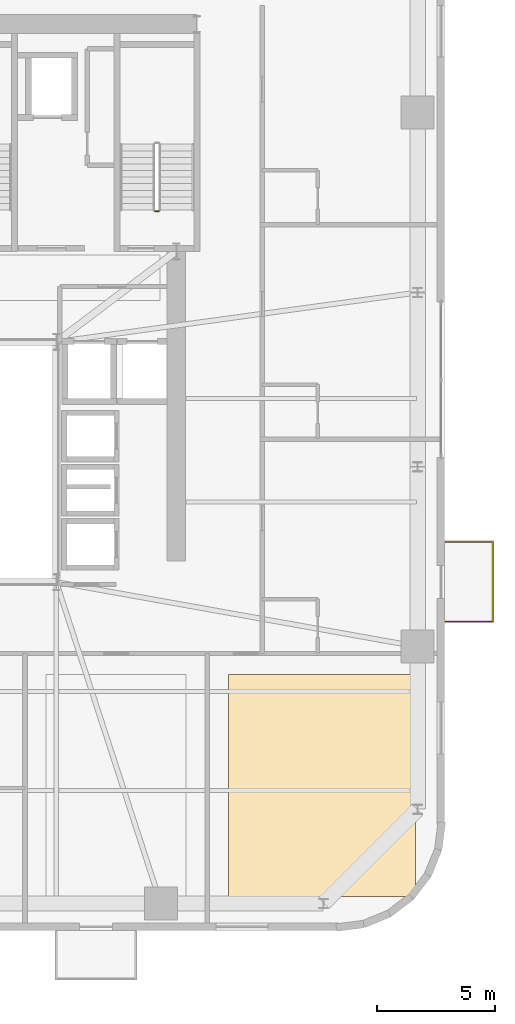
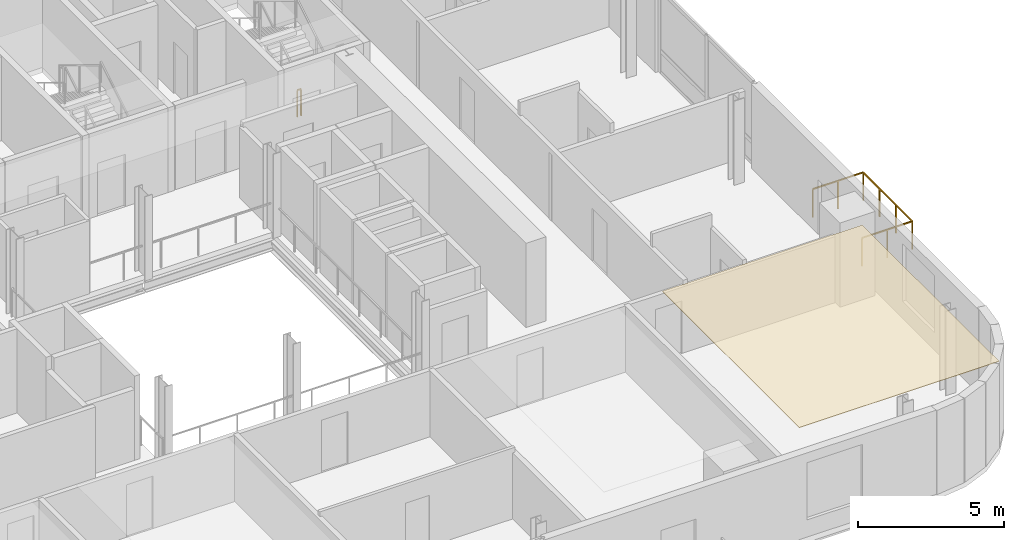
# One storey, part 14 of 16: 2 railings, 1 covering.
"""IFC4 building model written with IfcOpenShell, lengths in metres."""

from ifc_helpers import new_model, si_unit, direction, frame, origin, origin_2d, place, context, subcontext, project, spatial, polyline, rectangle, outline, extrude, source, transform, mapped, material, layer, layer_set, type_object, element, save


model = new_model("IFC4")

# Units and contexts
model_context = context("Model", 3, precision=1e-05, world=origin(), true_north=direction((0.0, 1.0)))
body_context = subcontext(model_context, "Body", "Model", "MODEL_VIEW")
ifc_project = project(units=[si_unit("LENGTHUNIT", "METRE"), si_unit("AREAUNIT", "SQUARE_METRE"), si_unit("VOLUMEUNIT", "CUBIC_METRE"), si_unit("PLANEANGLEUNIT", "RADIAN"), si_unit("MASSUNIT", "GRAM", prefix="KILO")], contexts=[model_context])

# Site, building, storey
site_placement = place(None, origin())
site = spatial("IfcSite", under=ifc_project, at=site_placement, CompositionType="ELEMENT")
building_placement = place(site_placement, origin())
building = spatial("IfcBuilding", under=site, at=building_placement, Name="Vardaveli Station Tower", CompositionType="ELEMENT")
storey_placement = place(building_placement, frame((0.0, 0.0, 192.300048828125)))
storey = spatial("IfcBuildingStorey", under=building, at=storey_placement, Name="L49", CompositionType="ELEMENT", Elevation=192.300048828125)

# Covering
ifc_material_1 = material(Name="Perforated acoustic mineral ceiling")
ifc_layer = layer(ifc_material_1, 0.02001953125, Name="Perforated acoustic mineral ceiling")
ifc_layer_set = layer_set([ifc_layer], Name="Perforated acoustic mineral ceiling")
covering_type = type_object("IfcCoveringType", Name="COV-CEIL-AC20", PredefinedType="CEILING", material=ifc_layer_set)
covering_placement = place(storey_placement, frame((0.0, 0.0, 3.514892578125)))
element("IfcCovering", 1, at=covering_placement, inside=storey, type_object=covering_type, Name="CEIL-L49-4", PredefinedType="CEILING", context=body_context, shape_type="SweptSolid", body=[
    extrude(outline(polyline([(48.719970703125, 3.25), (56.64990234375, 3.25), (56.64990234375, 12.669921875), (48.719970703125, 12.669921875), (48.719970703125, 3.25)])), origin(), (0.0, 0.0, 1.0), 0.02001953125),
])

# Railings
ifc_material_2 = material(Name="Laminated glass and stainless steel balustrade", Category="steel")
railing_type_1 = type_object("IfcRailingType", Name="RL-BAL-1200", PredefinedType="BALUSTRADE", material=ifc_material_2)
shared_shape_1 = source(origin(), body_context, "Body", "SweptSolid", [
    extrude(rectangle(XDim=0.048095703125, YDim=0.048095703125, at=origin_2d()), frame((0.0, 0.0, 1.17578125), z_axis=(1.0, 0.0, 0.0), x_axis=(0.0, 1.0, 0.0)), (0.0, 0.0, 1.0), 2.0),
    extrude(rectangle(XDim=0.048095703125, YDim=0.048095703125, at=origin_2d()), frame((2.0, 0.0, 1.17578125), z_axis=(0.0, 1.0, 0.0), x_axis=(-1.0, 0.0, 0.0)), (0.0, 0.0, 1.0), 3.3798828125),
    extrude(rectangle(XDim=0.048095703125, YDim=0.048095703125, at=origin_2d()), frame((2.0, 3.3798828125, 1.17578125), z_axis=(-1.0, 0.0, 0.0), x_axis=(0.0, -1.0, 0.0)), (0.0, 0.0, 1.0), 2.0),
    extrude(rectangle(XDim=0.0419921875, YDim=0.0419921875, at=origin_2d()), origin(), (0.0, 0.0, 1.0), 1.15185546875),
    extrude(rectangle(XDim=0.0419921875, YDim=0.0419921875, at=origin_2d()), frame((1.0, 0.0, 0.0)), (0.0, 0.0, 1.0), 1.15185546875),
    extrude(rectangle(XDim=0.0419921875, YDim=0.0419921875, at=origin_2d()), frame((2.0, 0.0, 0.0)), (0.0, 0.0, 1.0), 1.15185546875),
    extrude(rectangle(XDim=0.0419921875, YDim=0.0419921875, at=origin_2d()), frame((2.0, 1.126708984375, 0.0)), (0.0, 0.0, 1.0), 1.15185546875),
    extrude(rectangle(XDim=0.0419921875, YDim=0.0419921875, at=origin_2d()), frame((2.0, 2.253173828125, 0.0)), (0.0, 0.0, 1.0), 1.15185546875),
    extrude(rectangle(XDim=0.0419921875, YDim=0.0419921875, at=origin_2d()), frame((2.0, 3.3798828125, 0.0)), (0.0, 0.0, 1.0), 1.15185546875),
    extrude(rectangle(XDim=0.0419921875, YDim=0.0419921875, at=origin_2d()), frame((1.0, 3.3798828125, 0.0)), (0.0, 0.0, 1.0), 1.15185546875),
    extrude(rectangle(XDim=0.0419921875, YDim=0.0419921875, at=origin_2d()), frame((0.0, 3.3798828125, 0.0)), (0.0, 0.0, 1.0), 1.15185546875),
])
railing_1_placement = place(storey_placement, frame((57.93994140625, 14.92041015625, 0.0)))
element("IfcRailing", 2, at=railing_1_placement, inside=storey, type_object=railing_type_1, Name="RL-LOG-L49-04", PredefinedType="BALUSTRADE", context=body_context, shape_type="MappedRepresentation", body=[
    mapped(shared_shape_1, transform((0.0, 0.0, 0.0), scale=1.0)),
])
ifc_material_3 = material(Name="Brushed AISI 316 stainless steel", Category="steel")
railing_type_2 = type_object("IfcRailingType", Name="RL-GUARD-1150", PredefinedType="GUARDRAIL", material=ifc_material_3)
shared_shape_2 = source(origin(), body_context, "Body", "SweptSolid", [
    extrude(rectangle(XDim=0.048095703125, YDim=0.048095703125, at=origin_2d()), frame((0.0, 0.0, 1.1259765625), z_axis=(-1.0, 0.0, 0.0), x_axis=(0.0, -1.0, 0.0)), (0.0, 0.0, 1.0), 0.14990234375),
    extrude(rectangle(XDim=0.0419921875, YDim=0.0419921875, at=origin_2d()), origin(), (0.0, 0.0, 1.0), 1.101806640625),
    extrude(rectangle(XDim=0.0419921875, YDim=0.0419921875, at=origin_2d()), frame((-0.14990234375, 0.0, 0.0)), (0.0, 0.0, 1.0), 1.101806640625),
])
railing_2_placement = place(storey_placement, frame((45.75, 32.35009765625, 0.0)))
element("IfcRailing", 3, at=railing_2_placement, inside=storey, type_object=railing_type_2, Name="L49 ST-3 stair guard 4", PredefinedType="GUARDRAIL", context=body_context, shape_type="MappedRepresentation", body=[
    mapped(shared_shape_2, transform((0.0, 0.0, 0.0), scale=1.0)),
])

save(model, "model.ifc")
